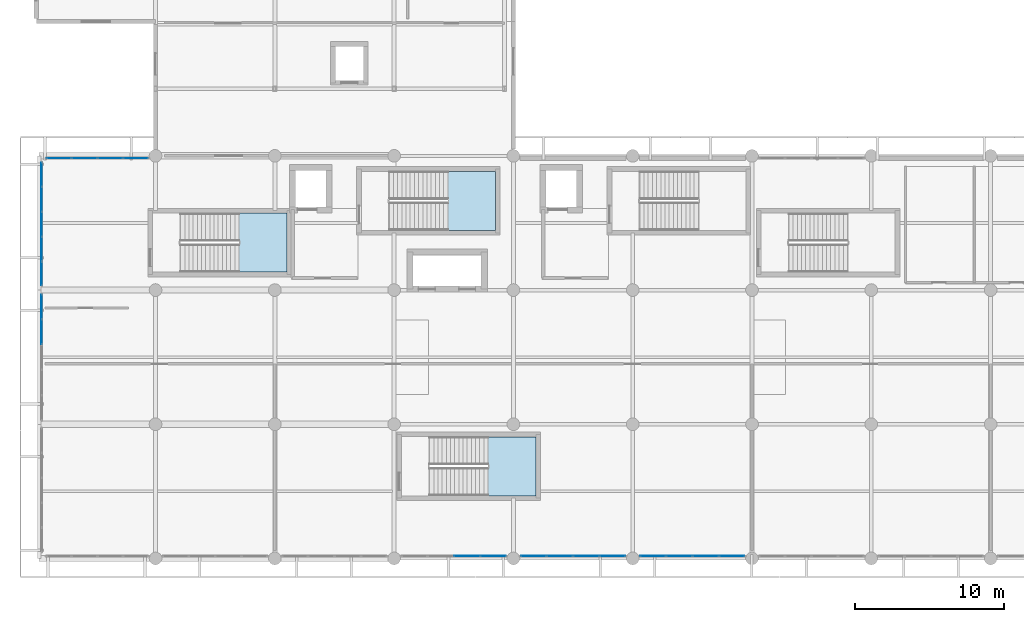
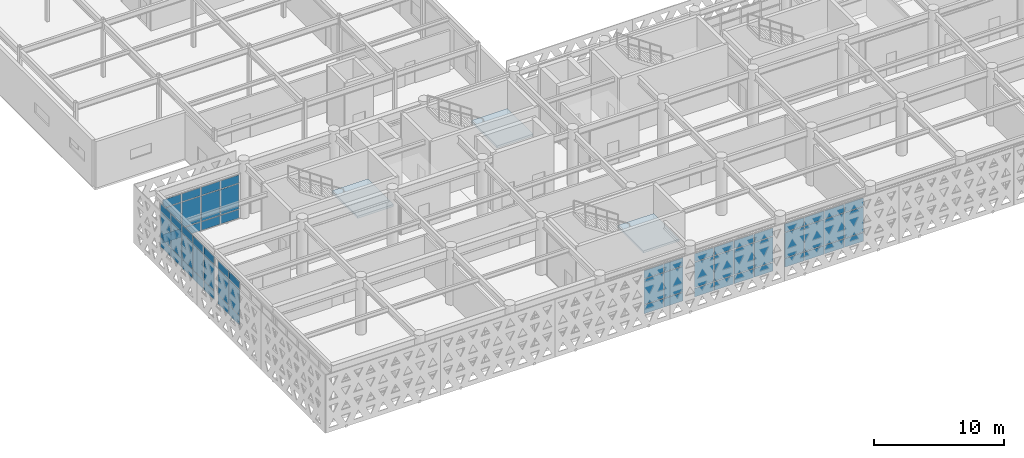
# One storey, part 46 of 84: 63 plates, 3 slabs, 9 elements without a shape of their own.
"""IFC4 building model written with IfcOpenShell, lengths in metres."""

import ifcopenshell
import ifcopenshell.guid

model = None  # the IFC model being written
_history = None  # IfcOwnerHistory: only IFC2X3 demands one
_inside = {}  # id of a spatial element -> (the spatial element, [elements in it])
_under = {}  # id of a project, library or spatial element -> (it, [spatial elements below it])
_declared = {}  # id of a project -> (the project, [libraries it declares])
_typed = {}  # id of a type object -> (the type object, [elements of that type])
_made_of = {}  # id of a material, layer set ... -> (it, [elements and type objects made of it])


def new_model(schema):
    """Start an empty IFC model of exactly this schema.

    Asked for "IFC4X3", IfcOpenShell would pick the latest addendum, in which some entities
    have other attributes; the version numbers below select the first issue.
    IFC2X3 requires an IfcOwnerHistory on every rooted entity: one is made here for all.
    """
    global model, _history
    if schema == "IFC4X3":
        model = ifcopenshell.file(schema_version=(4, 3, 0, 0))
    else:
        model = ifcopenshell.file(schema=schema)
    _inside.clear()
    _under.clear()
    _declared.clear()
    _typed.clear()
    _made_of.clear()
    _history = None
    if model.schema == "IFC2X3":
        org = make("IfcOrganization", Name="unknown")
        user = make(
            "IfcPersonAndOrganization",
            ThePerson=make("IfcPerson", FamilyName="unknown"),
            TheOrganization=org,
        )
        app = make(
            "IfcApplication",
            ApplicationDeveloper=org,
            Version="unknown",
            ApplicationFullName="unknown",
            ApplicationIdentifier="unknown",
        )
        _history = make(
            "IfcOwnerHistory",
            OwningUser=user,
            OwningApplication=app,
            ChangeAction="ADDED",
            CreationDate=0,
        )
    return model


def make(cls, **values):
    """One entity of the class cls with the attributes given. An attribute that is None is left unset."""
    return model.create_entity(
        cls, **{name: value for name, value in values.items() if value is not None}
    )


def rooted(cls, **values):
    """An entity with a GlobalId (a new one), such as an element, a storey or a relation."""
    return make(cls, GlobalId=ifcopenshell.guid.new(), OwnerHistory=_history, **values)


def si_unit(unit_type, name, prefix=None):
    """IfcSIUnit, for example si_unit("LENGTHUNIT", "METRE", prefix="MILLI")."""
    return make("IfcSIUnit", UnitType=unit_type, Prefix=prefix, Name=name)


def assignment(units):
    """IfcUnitAssignment: the units of a project."""
    return None if units is None else make("IfcUnitAssignment", Units=units)


def point(xyz):
    """IfcCartesianPoint."""
    return None if xyz is None else make("IfcCartesianPoint", Coordinates=xyz)


def direction(xyz):
    """IfcDirection."""
    return None if xyz is None else make("IfcDirection", DirectionRatios=xyz)


def frame(location, z_axis=None, x_axis=None):
    """IfcAxis2Placement3D, a coordinate frame: its origin and axes. An axis left out is left unset."""
    return make(
        "IfcAxis2Placement3D",
        Location=point(location),
        Axis=direction(z_axis),
        RefDirection=direction(x_axis),
    )


def frame_2d(location, x_axis=None):
    """IfcAxis2Placement2D, a coordinate frame in the plane: its origin and x axis."""
    return make(
        "IfcAxis2Placement2D", Location=point(location), RefDirection=direction(x_axis)
    )


def origin():
    """The frame at (0, 0, 0) with its axes left unset."""
    return frame((0.0, 0.0, 0.0))


def origin_2d():
    """The frame at (0, 0) in the plane with its x axis left unset."""
    return frame_2d((0.0, 0.0))


def place(relative_to, where):
    """IfcLocalPlacement: puts the frame where relative to a parent placement (None: the world)."""
    return make(
        "IfcLocalPlacement", PlacementRelTo=relative_to, RelativePlacement=where
    )


def context(
    kind, dimensions, precision=None, world=None, true_north=None, identifier=None
):
    """IfcGeometricRepresentationContext, for example the 3D "Model" context."""
    return make(
        "IfcGeometricRepresentationContext",
        ContextIdentifier=identifier,
        ContextType=kind,
        CoordinateSpaceDimension=dimensions,
        Precision=precision,
        WorldCoordinateSystem=world,
        TrueNorth=true_north,
    )


def subcontext(parent, identifier, kind, view, scale=None):
    """IfcGeometricRepresentationSubContext, for example "Body" below "Model"."""
    return make(
        "IfcGeometricRepresentationSubContext",
        ContextIdentifier=identifier,
        ContextType=kind,
        ParentContext=parent,
        TargetScale=scale,
        TargetView=view,
    )


def project(units=None, contexts=None):
    """IfcProject with its units and contexts."""
    return rooted(
        "IfcProject",
        Name="project",
        RepresentationContexts=contexts,
        UnitsInContext=assignment(units),
    )


def spatial(cls, under=None, at=None, **own):
    """A site, building, storey or space (cls), placed at a placement, below another one or the project."""
    s = rooted(cls, ObjectPlacement=at, **own)
    if under is not None:
        _under.setdefault(under.id(), (under, []))[1].append(s)
    return s


def polyline(points):
    """IfcPolyline through the points."""
    return make("IfcPolyline", Points=[point(p) for p in points])


def profile(cls, at=None, kind="AREA", **sizes):
    """A parametric profile (cls). Its sizes go by their IFC names, for example OverallWidth=200.0."""
    return make(cls, ProfileType=kind, Position=at, **sizes)


def rectangle(**sizes):
    """IfcRectangleProfileDef."""
    return profile("IfcRectangleProfileDef", **sizes)


def outline(outer, holes=None, kind="AREA"):
    """IfcArbitraryClosedProfileDef: a profile drawn as a closed curve; with holes, ...WithVoids."""
    if holes is None:
        return make("IfcArbitraryClosedProfileDef", ProfileType=kind, OuterCurve=outer)
    return make(
        "IfcArbitraryProfileDefWithVoids",
        ProfileType=kind,
        OuterCurve=outer,
        InnerCurves=holes,
    )


def extrude(swept, where, along, depth):
    """IfcExtrudedAreaSolid: the profile swept, set in the frame where, extruded along a direction by depth."""
    return make(
        "IfcExtrudedAreaSolid",
        SweptArea=swept,
        Position=where,
        ExtrudedDirection=direction(along),
        Depth=depth,
    )


def shape(context_of_items, identifier, shape_type, items):
    """IfcShapeRepresentation: the items that make up one representation, for example the "Body"."""
    return make(
        "IfcShapeRepresentation",
        ContextOfItems=context_of_items,
        RepresentationIdentifier=identifier,
        RepresentationType=shape_type,
        Items=items,
    )


def material(Name=None, Category=None):
    """IfcMaterial."""
    return make("IfcMaterial", Name=Name, Category=Category)


def layer(
    of_material, thickness, ventilated=None, Name=None, Category=None, Priority=None
):
    """IfcMaterialLayer: one layer of a wall or slab, of a material (None: an air gap)."""
    return make(
        "IfcMaterialLayer",
        Material=of_material,
        LayerThickness=thickness,
        IsVentilated=ventilated,
        Name=Name,
        Category=Category,
        Priority=Priority,
    )


def layer_set(layers, Name=None):
    """IfcMaterialLayerSet."""
    return make("IfcMaterialLayerSet", MaterialLayers=layers, LayerSetName=Name)


def made_of(thing, what):
    """Note that an element or type object is made of a material, layer set ...; save() writes the relation."""
    if what is not None:
        _made_of.setdefault(what.id(), (what, []))[1].append(thing)
    return thing


def type_object(cls, material=None, **own):
    """A type object (cls), such as IfcWallType, which elements share."""
    return made_of(rooted(cls, **own), material)


def element(
    cls,
    number,
    at=None,
    inside=None,
    cuts=None,
    type_object=None,
    material=None,
    context=None,
    identifier="Body",
    shape_type=None,
    held_by="IfcProductDefinitionShape",
    body=None,
    shapes=None,
    **own,
):
    """One element of the class cls, such as IfcWall. Its Tag is "e" and its number.

    at: its placement. inside: the storey or other place that contains it. cuts: it is an
    opening in that element (IfcRelVoidsElement). A single representation is given by context,
    identifier, shape_type and body (its items); several are given by shapes. held_by: the class
    of the entity that holds the representations. save() writes the other relations.
    """
    e = rooted(cls, Tag="e%d" % number, ObjectPlacement=at, **own)
    if body is not None:
        shapes = [shape(context, identifier, shape_type, body)]
    if shapes is not None:
        e.Representation = make(held_by, Representations=shapes)
    if inside is not None:
        _inside.setdefault(inside.id(), (inside, []))[1].append(e)
    if cuts is not None:
        rooted(
            "IfcRelVoidsElement", RelatingBuildingElement=cuts, RelatedOpeningElement=e
        )
    if type_object is not None:
        _typed.setdefault(type_object.id(), (type_object, []))[1].append(e)
    return made_of(e, material)


def aggregate(whole, parts):
    """IfcRelAggregates: a whole, such as a stair, and the parts it consists of."""
    return rooted("IfcRelAggregates", RelatingObject=whole, RelatedObjects=parts)


def save(model, path):
    """Write the relations noted so far, then the file.

    IfcRelAggregates (storeys below a building ...), IfcRelContainedInSpatialStructure (elements
    in a storey), IfcRelDefinesByType, IfcRelAssociatesMaterial and IfcRelDeclares: one each for
    every whole, place, type object, material and project.
    """
    for whole, parts in _under.values():
        aggregate(whole, parts)
    for where, things in _inside.values():
        rooted(
            "IfcRelContainedInSpatialStructure",
            RelatedElements=things,
            RelatingStructure=where,
        )
    for kind, things in _typed.values():
        rooted("IfcRelDefinesByType", RelatedObjects=things, RelatingType=kind)
    for what, things in _made_of.values():
        rooted("IfcRelAssociatesMaterial", RelatedObjects=things, RelatingMaterial=what)
    for by, libraries in _declared.values():
        rooted("IfcRelDeclares", RelatingContext=by, RelatedDefinitions=libraries)
    model.write(path)


model = new_model("IFC4")

# Units and contexts
model_context = context("Model", 3, precision=1e-05, world=origin(), true_north=direction((0.0, 1.0)))
body_context = subcontext(model_context, "Body", "Model", "MODEL_VIEW")
ifc_project = project(units=[si_unit("LENGTHUNIT", "METRE"), si_unit("AREAUNIT", "SQUARE_METRE"), si_unit("VOLUMEUNIT", "CUBIC_METRE"), si_unit("PLANEANGLEUNIT", "RADIAN"), si_unit("MASSUNIT", "GRAM", prefix="KILO")], contexts=[model_context])

# Site, building, storey
site_placement = place(None, origin())
site = spatial("IfcSite", under=ifc_project, at=site_placement, CompositionType="ELEMENT")
building_placement = place(site_placement, origin())
building = spatial("IfcBuilding", under=site, at=building_placement, Name="Tlacozan Convention Centre", CompositionType="ELEMENT")
storey_placement = place(building_placement, frame((0.0, 0.0, 6.0)))
storey = spatial("IfcBuildingStorey", under=building, at=storey_placement, Name="L01", CompositionType="ELEMENT", Elevation=6.0)

# Curtain wall, plates
ifc_material_1 = material(Name="Dark Bronze Anodised Aluminium", Category="aluminium")
ifc_layer_1 = layer(ifc_material_1, 0.159912109375)
ifc_layer_set_1 = layer_set([ifc_layer_1], Name="Dark Bronze Anodised Aluminium")
curtain_wall_type_1 = type_object("IfcCurtainWallType", Name="Unitised Congress L01 South CW02", PredefinedType="NOTDEFINED", material=ifc_layer_set_1)
curtain_wall_1_placement = place(storey_placement, origin())
curtain_wall_1 = element("IfcCurtainWall", 1, at=curtain_wall_1_placement, inside=storey, type_object=curtain_wall_type_1, Name="L01 CW-02 Run 70", PredefinedType="NOTDEFINED")
ifc_material_2 = material(Name="Solar Control Double Low-E Argon Glazing", Category="glass")
ifc_layer_2 = layer(ifc_material_2, 0.030029296875)
ifc_layer_set_2 = layer_set([ifc_layer_2], Name="Solar Control Double Low-E Argon Glazing")
plate_type_1 = type_object("IfcPlateType", Name="Double Low-E Acoustic CW Panel 30", PredefinedType="CURTAIN_PANEL", material=ifc_layer_set_2)
plate_1_placement = place(storey_placement, frame((1.52880859375, 26.840087890625, 0.06494140625), z_axis=(0.0, 0.0, 1.0), x_axis=(1.0, 0.0, 0.0)))
plate_1 = element("IfcPlate", 2, at=plate_1_placement, type_object=plate_type_1, Name="CW-02 panel 1.1", PredefinedType="CURTAIN_PANEL", context=body_context, shape_type="SweptSolid", body=[
    extrude(rectangle(XDim=1.62744140625, YDim=0.030029296875, at=origin_2d()), origin(), (0.0, 0.0, 1.0), 0.802490234375),
])
plate_2_placement = place(storey_placement, frame((1.52880859375, 26.840087890625, 0.9326171875), z_axis=(0.0, 0.0, 1.0), x_axis=(1.0, 0.0, 0.0)))
plate_2 = element("IfcPlate", 3, at=plate_2_placement, type_object=plate_type_1, Name="CW-02 panel 1.2", PredefinedType="CURTAIN_PANEL", context=body_context, shape_type="SweptSolid", body=[
    extrude(rectangle(XDim=1.62744140625, YDim=0.030029296875, at=origin_2d()), origin(), (0.0, 0.0, 1.0), 2.364990234375),
])
plate_3_placement = place(storey_placement, frame((1.52880859375, 26.840087890625, 3.362548828125), z_axis=(0.0, 0.0, 1.0), x_axis=(1.0, 0.0, 0.0)))
plate_3 = element("IfcPlate", 4, at=plate_3_placement, type_object=plate_type_1, Name="CW-02 panel 1.3", PredefinedType="CURTAIN_PANEL", context=body_context, shape_type="SweptSolid", body=[
    extrude(rectangle(XDim=1.62744140625, YDim=0.030029296875, at=origin_2d()), origin(), (0.0, 0.0, 1.0), 0.75244140625),
])
plate_4_placement = place(storey_placement, frame((3.237548828125, 26.840087890625, 0.06494140625), z_axis=(0.0, 0.0, 1.0), x_axis=(1.0, 0.0, 0.0)))
plate_4 = element("IfcPlate", 5, at=plate_4_placement, type_object=plate_type_1, Name="CW-02 panel 2.1", PredefinedType="CURTAIN_PANEL", context=body_context, shape_type="SweptSolid", body=[
    extrude(rectangle(XDim=1.659912109375, YDim=0.030029296875, at=origin_2d()), origin(), (0.0, 0.0, 1.0), 0.802490234375),
])
plate_5_placement = place(storey_placement, frame((3.237548828125, 26.840087890625, 0.9326171875), z_axis=(0.0, 0.0, 1.0), x_axis=(1.0, 0.0, 0.0)))
plate_5 = element("IfcPlate", 6, at=plate_5_placement, type_object=plate_type_1, Name="CW-02 panel 2.2", PredefinedType="CURTAIN_PANEL", context=body_context, shape_type="SweptSolid", body=[
    extrude(rectangle(XDim=1.659912109375, YDim=0.030029296875, at=origin_2d()), origin(), (0.0, 0.0, 1.0), 2.364990234375),
])
plate_6_placement = place(storey_placement, frame((3.237548828125, 26.840087890625, 3.362548828125), z_axis=(0.0, 0.0, 1.0), x_axis=(1.0, 0.0, 0.0)))
plate_6 = element("IfcPlate", 7, at=plate_6_placement, type_object=plate_type_1, Name="CW-02 panel 2.3", PredefinedType="CURTAIN_PANEL", context=body_context, shape_type="SweptSolid", body=[
    extrude(rectangle(XDim=1.659912109375, YDim=0.030029296875, at=origin_2d()), origin(), (0.0, 0.0, 1.0), 0.75244140625),
])
plate_7_placement = place(storey_placement, frame((4.96240234375, 26.840087890625, 0.06494140625), z_axis=(0.0, 0.0, 1.0), x_axis=(1.0, 0.0, 0.0)))
plate_7 = element("IfcPlate", 8, at=plate_7_placement, type_object=plate_type_1, Name="CW-02 panel 3.1", PredefinedType="CURTAIN_PANEL", context=body_context, shape_type="SweptSolid", body=[
    extrude(rectangle(XDim=1.659912109375, YDim=0.030029296875, at=origin_2d()), origin(), (0.0, 0.0, 1.0), 0.802490234375),
])
plate_8_placement = place(storey_placement, frame((4.96240234375, 26.840087890625, 0.9326171875), z_axis=(0.0, 0.0, 1.0), x_axis=(1.0, 0.0, 0.0)))
plate_8 = element("IfcPlate", 9, at=plate_8_placement, type_object=plate_type_1, Name="CW-02 panel 3.2", PredefinedType="CURTAIN_PANEL", context=body_context, shape_type="SweptSolid", body=[
    extrude(rectangle(XDim=1.659912109375, YDim=0.030029296875, at=origin_2d()), origin(), (0.0, 0.0, 1.0), 2.364990234375),
])
plate_9_placement = place(storey_placement, frame((4.96240234375, 26.840087890625, 3.362548828125), z_axis=(0.0, 0.0, 1.0), x_axis=(1.0, 0.0, 0.0)))
plate_9 = element("IfcPlate", 10, at=plate_9_placement, type_object=plate_type_1, Name="CW-02 panel 3.3", PredefinedType="CURTAIN_PANEL", context=body_context, shape_type="SweptSolid", body=[
    extrude(rectangle(XDim=1.659912109375, YDim=0.030029296875, at=origin_2d()), origin(), (0.0, 0.0, 1.0), 0.75244140625),
])
plate_10_placement = place(storey_placement, frame((6.671142578125, 26.840087890625, 0.06494140625), z_axis=(0.0, 0.0, 1.0), x_axis=(1.0, 0.0, 0.0)))
plate_10 = element("IfcPlate", 11, at=plate_10_placement, type_object=plate_type_1, Name="CW-02 panel 4.1", PredefinedType="CURTAIN_PANEL", context=body_context, shape_type="SweptSolid", body=[
    extrude(rectangle(XDim=1.62744140625, YDim=0.030029296875, at=origin_2d()), origin(), (0.0, 0.0, 1.0), 0.802490234375),
])
plate_11_placement = place(storey_placement, frame((6.671142578125, 26.840087890625, 0.9326171875), z_axis=(0.0, 0.0, 1.0), x_axis=(1.0, 0.0, 0.0)))
plate_11 = element("IfcPlate", 12, at=plate_11_placement, type_object=plate_type_1, Name="CW-02 panel 4.2", PredefinedType="CURTAIN_PANEL", context=body_context, shape_type="SweptSolid", body=[
    extrude(rectangle(XDim=1.62744140625, YDim=0.030029296875, at=origin_2d()), origin(), (0.0, 0.0, 1.0), 2.364990234375),
])
plate_12_placement = place(storey_placement, frame((6.671142578125, 26.840087890625, 3.362548828125), z_axis=(0.0, 0.0, 1.0), x_axis=(1.0, 0.0, 0.0)))
plate_12 = element("IfcPlate", 13, at=plate_12_placement, type_object=plate_type_1, Name="CW-02 panel 4.3", PredefinedType="CURTAIN_PANEL", context=body_context, shape_type="SweptSolid", body=[
    extrude(rectangle(XDim=1.62744140625, YDim=0.030029296875, at=origin_2d()), origin(), (0.0, 0.0, 1.0), 0.75244140625),
])
aggregate(curtain_wall_1, [plate_1, plate_2, plate_3, plate_4, plate_5, plate_6, plate_7, plate_8, plate_9, plate_10, plate_11, plate_12])

curtain_wall_2_placement = place(storey_placement, origin())
curtain_wall_2 = element("IfcCurtainWall", 14, at=curtain_wall_2_placement, inside=storey, type_object=curtain_wall_type_1, Name="L01 CW-02 Run 59", PredefinedType="NOTDEFINED")
ifc_layer_3 = layer(ifc_material_2, 0.02001953125)
ifc_layer_set_3 = layer_set([ifc_layer_3], Name="Solar Control Double Low-E Argon Glazing")
plate_type_2 = type_object("IfcPlateType", Name="Double Low-E Glazed CW Panel 20", PredefinedType="CURTAIN_PANEL", material=ifc_layer_set_3)
plate_13_placement = place(storey_placement, frame((33.353759765625, 0.159912109375, 0.06494140625), z_axis=(0.0, 0.0, 1.0), x_axis=(1.0, 0.0, 0.0)))
plate_13 = element("IfcPlate", 15, at=plate_13_placement, type_object=plate_type_2, Name="CW-02 panel 1.1", PredefinedType="CURTAIN_PANEL", context=body_context, shape_type="SweptSolid", body=[
    extrude(rectangle(XDim=1.677490234375, YDim=0.02001953125, at=origin_2d()), origin(), (0.0, 0.0, 1.0), 0.802490234375),
])
plate_14_placement = place(storey_placement, frame((33.353759765625, 0.159912109375, 0.9326171875), z_axis=(0.0, 0.0, 1.0), x_axis=(1.0, 0.0, 0.0)))
plate_14 = element("IfcPlate", 16, at=plate_14_placement, type_object=plate_type_2, Name="CW-02 panel 1.2", PredefinedType="CURTAIN_PANEL", context=body_context, shape_type="SweptSolid", body=[
    extrude(rectangle(XDim=1.677490234375, YDim=0.02001953125, at=origin_2d()), origin(), (0.0, 0.0, 1.0), 2.364990234375),
])
plate_15_placement = place(storey_placement, frame((33.353759765625, 0.159912109375, 3.362548828125), z_axis=(0.0, 0.0, 1.0), x_axis=(1.0, 0.0, 0.0)))
plate_15 = element("IfcPlate", 17, at=plate_15_placement, type_object=plate_type_2, Name="CW-02 panel 1.3", PredefinedType="CURTAIN_PANEL", context=body_context, shape_type="SweptSolid", body=[
    extrude(rectangle(XDim=1.677490234375, YDim=0.02001953125, at=origin_2d()), origin(), (0.0, 0.0, 1.0), 0.75244140625),
])
plate_16_placement = place(storey_placement, frame((35.112548828125, 0.159912109375, 0.06494140625), z_axis=(0.0, 0.0, 1.0), x_axis=(1.0, 0.0, 0.0)))
plate_16 = element("IfcPlate", 18, at=plate_16_placement, type_object=plate_type_2, Name="CW-02 panel 2.1", PredefinedType="CURTAIN_PANEL", context=body_context, shape_type="SweptSolid", body=[
    extrude(rectangle(XDim=1.7099609375, YDim=0.02001953125, at=origin_2d()), origin(), (0.0, 0.0, 1.0), 0.802490234375),
])
plate_17_placement = place(storey_placement, frame((35.112548828125, 0.159912109375, 0.9326171875), z_axis=(0.0, 0.0, 1.0), x_axis=(1.0, 0.0, 0.0)))
plate_17 = element("IfcPlate", 19, at=plate_17_placement, type_object=plate_type_2, Name="CW-02 panel 2.2", PredefinedType="CURTAIN_PANEL", context=body_context, shape_type="SweptSolid", body=[
    extrude(rectangle(XDim=1.7099609375, YDim=0.02001953125, at=origin_2d()), origin(), (0.0, 0.0, 1.0), 2.364990234375),
])
plate_18_placement = place(storey_placement, frame((35.112548828125, 0.159912109375, 3.362548828125), z_axis=(0.0, 0.0, 1.0), x_axis=(1.0, 0.0, 0.0)))
plate_18 = element("IfcPlate", 20, at=plate_18_placement, type_object=plate_type_2, Name="CW-02 panel 2.3", PredefinedType="CURTAIN_PANEL", context=body_context, shape_type="SweptSolid", body=[
    extrude(rectangle(XDim=1.7099609375, YDim=0.02001953125, at=origin_2d()), origin(), (0.0, 0.0, 1.0), 0.75244140625),
])
plate_19_placement = place(storey_placement, frame((36.887451171875, 0.159912109375, 0.06494140625), z_axis=(0.0, 0.0, 1.0), x_axis=(1.0, 0.0, 0.0)))
plate_19 = element("IfcPlate", 21, at=plate_19_placement, type_object=plate_type_2, Name="CW-02 panel 3.1", PredefinedType="CURTAIN_PANEL", context=body_context, shape_type="SweptSolid", body=[
    extrude(rectangle(XDim=1.7099609375, YDim=0.02001953125, at=origin_2d()), origin(), (0.0, 0.0, 1.0), 0.802490234375),
])
plate_20_placement = place(storey_placement, frame((36.887451171875, 0.159912109375, 0.9326171875), z_axis=(0.0, 0.0, 1.0), x_axis=(1.0, 0.0, 0.0)))
plate_20 = element("IfcPlate", 22, at=plate_20_placement, type_object=plate_type_2, Name="CW-02 panel 3.2", PredefinedType="CURTAIN_PANEL", context=body_context, shape_type="SweptSolid", body=[
    extrude(rectangle(XDim=1.7099609375, YDim=0.02001953125, at=origin_2d()), origin(), (0.0, 0.0, 1.0), 2.364990234375),
])
plate_21_placement = place(storey_placement, frame((36.887451171875, 0.159912109375, 3.362548828125), z_axis=(0.0, 0.0, 1.0), x_axis=(1.0, 0.0, 0.0)))
plate_21 = element("IfcPlate", 23, at=plate_21_placement, type_object=plate_type_2, Name="CW-02 panel 3.3", PredefinedType="CURTAIN_PANEL", context=body_context, shape_type="SweptSolid", body=[
    extrude(rectangle(XDim=1.7099609375, YDim=0.02001953125, at=origin_2d()), origin(), (0.0, 0.0, 1.0), 0.75244140625),
])
plate_22_placement = place(storey_placement, frame((38.646240234375, 0.159912109375, 0.06494140625), z_axis=(0.0, 0.0, 1.0), x_axis=(1.0, 0.0, 0.0)))
plate_22 = element("IfcPlate", 24, at=plate_22_placement, type_object=plate_type_2, Name="CW-02 panel 4.1", PredefinedType="CURTAIN_PANEL", context=body_context, shape_type="SweptSolid", body=[
    extrude(rectangle(XDim=1.677490234375, YDim=0.02001953125, at=origin_2d()), origin(), (0.0, 0.0, 1.0), 0.802490234375),
])
plate_23_placement = place(storey_placement, frame((38.646240234375, 0.159912109375, 0.9326171875), z_axis=(0.0, 0.0, 1.0), x_axis=(1.0, 0.0, 0.0)))
plate_23 = element("IfcPlate", 25, at=plate_23_placement, type_object=plate_type_2, Name="CW-02 panel 4.2", PredefinedType="CURTAIN_PANEL", context=body_context, shape_type="SweptSolid", body=[
    extrude(rectangle(XDim=1.677490234375, YDim=0.02001953125, at=origin_2d()), origin(), (0.0, 0.0, 1.0), 2.364990234375),
])
plate_24_placement = place(storey_placement, frame((38.646240234375, 0.159912109375, 3.362548828125), z_axis=(0.0, 0.0, 1.0), x_axis=(1.0, 0.0, 0.0)))
plate_24 = element("IfcPlate", 26, at=plate_24_placement, type_object=plate_type_2, Name="CW-02 panel 4.3", PredefinedType="CURTAIN_PANEL", context=body_context, shape_type="SweptSolid", body=[
    extrude(rectangle(XDim=1.677490234375, YDim=0.02001953125, at=origin_2d()), origin(), (0.0, 0.0, 1.0), 0.75244140625),
])
aggregate(curtain_wall_2, [plate_13, plate_14, plate_15, plate_16, plate_17, plate_18, plate_19, plate_20, plate_21, plate_22, plate_23, plate_24])

ifc_layer_4 = layer(ifc_material_1, 0.159912109375)
ifc_layer_set_4 = layer_set([ifc_layer_4], Name="Dark Bronze Anodised Aluminium")
curtain_wall_type_2 = type_object("IfcCurtainWallType", Name="Unitised Congress Gable End CW06", PredefinedType="NOTDEFINED", material=ifc_layer_set_4)
curtain_wall_3_placement = place(storey_placement, origin())
curtain_wall_3 = element("IfcCurtainWall", 27, at=curtain_wall_3_placement, inside=storey, type_object=curtain_wall_type_2, Name="L01 CW-06 Run 74", PredefinedType="NOTDEFINED")
plate_25_placement = place(storey_placement, frame((0.360107421875, 15.199951171875, 0.06005859375), z_axis=(0.0, 0.0, 1.0), x_axis=(0.0, 1.0, 0.0)))
plate_25 = element("IfcPlate", 28, at=plate_25_placement, type_object=plate_type_2, Name="CW-06 panel 4.1", PredefinedType="CURTAIN_PANEL", context=body_context, shape_type="SweptSolid", body=[
    extrude(rectangle(XDim=1.639892578125, YDim=0.02001953125, at=origin_2d()), origin(), (0.0, 0.0, 1.0), 0.81005859375),
])
plate_26_placement = place(storey_placement, frame((0.360107421875, 15.199951171875, 0.929931640625), z_axis=(0.0, 0.0, 1.0), x_axis=(0.0, 1.0, 0.0)))
plate_26 = element("IfcPlate", 29, at=plate_26_placement, type_object=plate_type_2, Name="CW-06 panel 4.2", PredefinedType="CURTAIN_PANEL", context=body_context, shape_type="SweptSolid", body=[
    extrude(rectangle(XDim=1.639892578125, YDim=0.02001953125, at=origin_2d()), origin(), (0.0, 0.0, 1.0), 2.3701171875),
])
plate_27_placement = place(storey_placement, frame((0.360107421875, 15.199951171875, 3.35986328125), z_axis=(0.0, 0.0, 1.0), x_axis=(0.0, 1.0, 0.0)))
plate_27 = element("IfcPlate", 30, at=plate_27_placement, type_object=plate_type_2, Name="CW-06 panel 4.3", PredefinedType="CURTAIN_PANEL", context=body_context, shape_type="SweptSolid", body=[
    extrude(rectangle(XDim=1.639892578125, YDim=0.02001953125, at=origin_2d()), origin(), (0.0, 0.0, 1.0), 0.760009765625),
])
plate_28_placement = place(storey_placement, frame((0.360107421875, 16.885009765625, 0.06005859375), z_axis=(0.0, 0.0, 1.0), x_axis=(0.0, 1.0, 0.0)))
plate_28 = element("IfcPlate", 31, at=plate_28_placement, type_object=plate_type_2, Name="CW-06 panel 5.1", PredefinedType="CURTAIN_PANEL", context=body_context, shape_type="SweptSolid", body=[
    extrude(rectangle(XDim=1.610107421875, YDim=0.02001953125, at=origin_2d()), origin(), (0.0, 0.0, 1.0), 0.81005859375),
])
plate_29_placement = place(storey_placement, frame((0.360107421875, 16.885009765625, 0.929931640625), z_axis=(0.0, 0.0, 1.0), x_axis=(0.0, 1.0, 0.0)))
plate_29 = element("IfcPlate", 32, at=plate_29_placement, type_object=plate_type_2, Name="CW-06 panel 5.2", PredefinedType="CURTAIN_PANEL", context=body_context, shape_type="SweptSolid", body=[
    extrude(rectangle(XDim=1.610107421875, YDim=0.02001953125, at=origin_2d()), origin(), (0.0, 0.0, 1.0), 2.3701171875),
])
plate_30_placement = place(storey_placement, frame((0.360107421875, 16.885009765625, 3.35986328125), z_axis=(0.0, 0.0, 1.0), x_axis=(0.0, 1.0, 0.0)))
plate_30 = element("IfcPlate", 33, at=plate_30_placement, type_object=plate_type_2, Name="CW-06 panel 5.3", PredefinedType="CURTAIN_PANEL", context=body_context, shape_type="SweptSolid", body=[
    extrude(rectangle(XDim=1.610107421875, YDim=0.02001953125, at=origin_2d()), origin(), (0.0, 0.0, 1.0), 0.760009765625),
])
aggregate(curtain_wall_3, [plate_25, plate_26, plate_27, plate_28, plate_29, plate_30])

curtain_wall_4_placement = place(storey_placement, origin())
curtain_wall_4 = element("IfcCurtainWall", 34, at=curtain_wall_4_placement, inside=storey, type_object=curtain_wall_type_2, Name="L01 CW-06 Run 76", PredefinedType="NOTDEFINED")
plate_31_placement = place(storey_placement, frame((0.360107421875, 19.09912109375, 0.06005859375), z_axis=(0.0, 0.0, 1.0), x_axis=(0.0, 1.0, 0.0)))
plate_31 = element("IfcPlate", 35, at=plate_31_placement, type_object=plate_type_2, Name="CW-06 panel 1.1", PredefinedType="CURTAIN_PANEL", context=body_context, shape_type="SweptSolid", body=[
    extrude(rectangle(XDim=1.577880859375, YDim=0.02001953125, at=origin_2d()), origin(), (0.0, 0.0, 1.0), 0.81005859375),
])
plate_32_placement = place(storey_placement, frame((0.360107421875, 19.09912109375, 0.929931640625), z_axis=(0.0, 0.0, 1.0), x_axis=(0.0, 1.0, 0.0)))
plate_32 = element("IfcPlate", 36, at=plate_32_placement, type_object=plate_type_2, Name="CW-06 panel 1.2", PredefinedType="CURTAIN_PANEL", context=body_context, shape_type="SweptSolid", body=[
    extrude(rectangle(XDim=1.577880859375, YDim=0.02001953125, at=origin_2d()), origin(), (0.0, 0.0, 1.0), 2.3701171875),
])
plate_33_placement = place(storey_placement, frame((0.360107421875, 19.09912109375, 3.35986328125), z_axis=(0.0, 0.0, 1.0), x_axis=(0.0, 1.0, 0.0)))
plate_33 = element("IfcPlate", 37, at=plate_33_placement, type_object=plate_type_2, Name="CW-06 panel 1.3", PredefinedType="CURTAIN_PANEL", context=body_context, shape_type="SweptSolid", body=[
    extrude(rectangle(XDim=1.577880859375, YDim=0.02001953125, at=origin_2d()), origin(), (0.0, 0.0, 1.0), 0.760009765625),
])
plate_34_placement = place(storey_placement, frame((0.360107421875, 20.751953125, 0.06005859375), z_axis=(0.0, 0.0, 1.0), x_axis=(0.0, 1.0, 0.0)))
plate_34 = element("IfcPlate", 38, at=plate_34_placement, type_object=plate_type_2, Name="CW-06 panel 2.1", PredefinedType="CURTAIN_PANEL", context=body_context, shape_type="SweptSolid", body=[
    extrude(rectangle(XDim=1.60791015625, YDim=0.02001953125, at=origin_2d()), origin(), (0.0, 0.0, 1.0), 0.81005859375),
])
plate_35_placement = place(storey_placement, frame((0.360107421875, 20.751953125, 0.929931640625), z_axis=(0.0, 0.0, 1.0), x_axis=(0.0, 1.0, 0.0)))
plate_35 = element("IfcPlate", 39, at=plate_35_placement, type_object=plate_type_2, Name="CW-06 panel 2.2", PredefinedType="CURTAIN_PANEL", context=body_context, shape_type="SweptSolid", body=[
    extrude(rectangle(XDim=1.60791015625, YDim=0.02001953125, at=origin_2d()), origin(), (0.0, 0.0, 1.0), 2.3701171875),
])
plate_36_placement = place(storey_placement, frame((0.360107421875, 20.751953125, 3.35986328125), z_axis=(0.0, 0.0, 1.0), x_axis=(0.0, 1.0, 0.0)))
plate_36 = element("IfcPlate", 40, at=plate_36_placement, type_object=plate_type_2, Name="CW-06 panel 2.3", PredefinedType="CURTAIN_PANEL", context=body_context, shape_type="SweptSolid", body=[
    extrude(rectangle(XDim=1.60791015625, YDim=0.02001953125, at=origin_2d()), origin(), (0.0, 0.0, 1.0), 0.760009765625),
])
plate_37_placement = place(storey_placement, frame((0.360107421875, 22.419921875, 0.06005859375), z_axis=(0.0, 0.0, 1.0), x_axis=(0.0, 1.0, 0.0)))
plate_37 = element("IfcPlate", 41, at=plate_37_placement, type_object=plate_type_2, Name="CW-06 panel 3.1", PredefinedType="CURTAIN_PANEL", context=body_context, shape_type="SweptSolid", body=[
    extrude(rectangle(XDim=1.60791015625, YDim=0.02001953125, at=origin_2d()), origin(), (0.0, 0.0, 1.0), 0.81005859375),
])
plate_38_placement = place(storey_placement, frame((0.360107421875, 22.419921875, 0.929931640625), z_axis=(0.0, 0.0, 1.0), x_axis=(0.0, 1.0, 0.0)))
plate_38 = element("IfcPlate", 42, at=plate_38_placement, type_object=plate_type_2, Name="CW-06 panel 3.2", PredefinedType="CURTAIN_PANEL", context=body_context, shape_type="SweptSolid", body=[
    extrude(rectangle(XDim=1.60791015625, YDim=0.02001953125, at=origin_2d()), origin(), (0.0, 0.0, 1.0), 2.3701171875),
])
plate_39_placement = place(storey_placement, frame((0.360107421875, 22.419921875, 3.35986328125), z_axis=(0.0, 0.0, 1.0), x_axis=(0.0, 1.0, 0.0)))
plate_39 = element("IfcPlate", 43, at=plate_39_placement, type_object=plate_type_2, Name="CW-06 panel 3.3", PredefinedType="CURTAIN_PANEL", context=body_context, shape_type="SweptSolid", body=[
    extrude(rectangle(XDim=1.60791015625, YDim=0.02001953125, at=origin_2d()), origin(), (0.0, 0.0, 1.0), 0.760009765625),
])
plate_40_placement = place(storey_placement, frame((0.360107421875, 24.087890625, 0.06005859375), z_axis=(0.0, 0.0, 1.0), x_axis=(0.0, 1.0, 0.0)))
plate_40 = element("IfcPlate", 44, at=plate_40_placement, type_object=plate_type_2, Name="CW-06 panel 4.1", PredefinedType="CURTAIN_PANEL", context=body_context, shape_type="SweptSolid", body=[
    extrude(rectangle(XDim=1.60791015625, YDim=0.02001953125, at=origin_2d()), origin(), (0.0, 0.0, 1.0), 0.81005859375),
])
plate_41_placement = place(storey_placement, frame((0.360107421875, 24.087890625, 0.929931640625), z_axis=(0.0, 0.0, 1.0), x_axis=(0.0, 1.0, 0.0)))
plate_41 = element("IfcPlate", 45, at=plate_41_placement, type_object=plate_type_2, Name="CW-06 panel 4.2", PredefinedType="CURTAIN_PANEL", context=body_context, shape_type="SweptSolid", body=[
    extrude(rectangle(XDim=1.60791015625, YDim=0.02001953125, at=origin_2d()), origin(), (0.0, 0.0, 1.0), 2.3701171875),
])
plate_42_placement = place(storey_placement, frame((0.360107421875, 24.087890625, 3.35986328125), z_axis=(0.0, 0.0, 1.0), x_axis=(0.0, 1.0, 0.0)))
plate_42 = element("IfcPlate", 46, at=plate_42_placement, type_object=plate_type_2, Name="CW-06 panel 4.3", PredefinedType="CURTAIN_PANEL", context=body_context, shape_type="SweptSolid", body=[
    extrude(rectangle(XDim=1.60791015625, YDim=0.02001953125, at=origin_2d()), origin(), (0.0, 0.0, 1.0), 0.760009765625),
])
plate_43_placement = place(storey_placement, frame((0.360107421875, 25.740966796875, 0.06005859375), z_axis=(0.0, 0.0, 1.0), x_axis=(0.0, 1.0, 0.0)))
plate_43 = element("IfcPlate", 47, at=plate_43_placement, type_object=plate_type_2, Name="CW-06 panel 5.1", PredefinedType="CURTAIN_PANEL", context=body_context, shape_type="SweptSolid", body=[
    extrude(rectangle(XDim=1.577880859375, YDim=0.02001953125, at=origin_2d()), origin(), (0.0, 0.0, 1.0), 0.81005859375),
])
plate_44_placement = place(storey_placement, frame((0.360107421875, 25.740966796875, 0.929931640625), z_axis=(0.0, 0.0, 1.0), x_axis=(0.0, 1.0, 0.0)))
plate_44 = element("IfcPlate", 48, at=plate_44_placement, type_object=plate_type_2, Name="CW-06 panel 5.2", PredefinedType="CURTAIN_PANEL", context=body_context, shape_type="SweptSolid", body=[
    extrude(rectangle(XDim=1.577880859375, YDim=0.02001953125, at=origin_2d()), origin(), (0.0, 0.0, 1.0), 2.3701171875),
])
plate_45_placement = place(storey_placement, frame((0.360107421875, 25.740966796875, 3.35986328125), z_axis=(0.0, 0.0, 1.0), x_axis=(0.0, 1.0, 0.0)))
plate_45 = element("IfcPlate", 49, at=plate_45_placement, type_object=plate_type_2, Name="CW-06 panel 5.3", PredefinedType="CURTAIN_PANEL", context=body_context, shape_type="SweptSolid", body=[
    extrude(rectangle(XDim=1.577880859375, YDim=0.02001953125, at=origin_2d()), origin(), (0.0, 0.0, 1.0), 0.760009765625),
])
aggregate(curtain_wall_4, [plate_31, plate_32, plate_33, plate_34, plate_35, plate_36, plate_37, plate_38, plate_39, plate_40, plate_41, plate_42, plate_43, plate_44, plate_45])

curtain_wall_5_placement = place(storey_placement, origin())
curtain_wall_5 = element("IfcCurtainWall", 50, at=curtain_wall_5_placement, inside=storey, type_object=curtain_wall_type_1, Name="L01 CW-02 Run 58", PredefinedType="NOTDEFINED")
ifc_layer_5 = layer(ifc_material_2, 0.0400390625)
ifc_layer_set_5 = layer_set([ifc_layer_5], Name="Solar Control Double Low-E Argon Glazing")
plate_type_3 = type_object("IfcPlateType", Name="Insulated Spandrel CW Panel 40", PredefinedType="CURTAIN_PANEL", material=ifc_layer_set_5)
plate_46_placement = place(storey_placement, frame((28.887451171875, 0.159912109375, 0.06494140625), z_axis=(0.0, 0.0, 1.0), x_axis=(1.0, 0.0, 0.0)))
plate_46 = element("IfcPlate", 51, at=plate_46_placement, type_object=plate_type_3, Name="CW-02 panel 3.1", PredefinedType="CURTAIN_PANEL", context=body_context, shape_type="SweptSolid", body=[
    extrude(rectangle(XDim=1.7099609375, YDim=0.0400390625, at=origin_2d()), origin(), (0.0, 0.0, 1.0), 0.802490234375),
])
plate_47_placement = place(storey_placement, frame((28.887451171875, 0.159912109375, 0.9326171875), z_axis=(0.0, 0.0, 1.0), x_axis=(1.0, 0.0, 0.0)))
plate_47 = element("IfcPlate", 52, at=plate_47_placement, type_object=plate_type_3, Name="CW-02 panel 3.2", PredefinedType="CURTAIN_PANEL", context=body_context, shape_type="SweptSolid", body=[
    extrude(rectangle(XDim=1.7099609375, YDim=0.0400390625, at=origin_2d()), origin(), (0.0, 0.0, 1.0), 2.364990234375),
])
plate_48_placement = place(storey_placement, frame((28.887451171875, 0.159912109375, 3.362548828125), z_axis=(0.0, 0.0, 1.0), x_axis=(1.0, 0.0, 0.0)))
plate_48 = element("IfcPlate", 53, at=plate_48_placement, type_object=plate_type_3, Name="CW-02 panel 3.3", PredefinedType="CURTAIN_PANEL", context=body_context, shape_type="SweptSolid", body=[
    extrude(rectangle(XDim=1.7099609375, YDim=0.0400390625, at=origin_2d()), origin(), (0.0, 0.0, 1.0), 0.75244140625),
])
plate_49_placement = place(storey_placement, frame((30.646240234375, 0.159912109375, 0.06494140625), z_axis=(0.0, 0.0, 1.0), x_axis=(1.0, 0.0, 0.0)))
plate_49 = element("IfcPlate", 54, at=plate_49_placement, type_object=plate_type_3, Name="CW-02 panel 4.1", PredefinedType="CURTAIN_PANEL", context=body_context, shape_type="SweptSolid", body=[
    extrude(rectangle(XDim=1.677490234375, YDim=0.0400390625, at=origin_2d()), origin(), (0.0, 0.0, 1.0), 0.802490234375),
])
plate_50_placement = place(storey_placement, frame((30.646240234375, 0.159912109375, 0.9326171875), z_axis=(0.0, 0.0, 1.0), x_axis=(1.0, 0.0, 0.0)))
plate_50 = element("IfcPlate", 55, at=plate_50_placement, type_object=plate_type_3, Name="CW-02 panel 4.2", PredefinedType="CURTAIN_PANEL", context=body_context, shape_type="SweptSolid", body=[
    extrude(rectangle(XDim=1.677490234375, YDim=0.0400390625, at=origin_2d()), origin(), (0.0, 0.0, 1.0), 2.364990234375),
])
plate_51_placement = place(storey_placement, frame((30.646240234375, 0.159912109375, 3.362548828125), z_axis=(0.0, 0.0, 1.0), x_axis=(1.0, 0.0, 0.0)))
plate_51 = element("IfcPlate", 56, at=plate_51_placement, type_object=plate_type_3, Name="CW-02 panel 4.3", PredefinedType="CURTAIN_PANEL", context=body_context, shape_type="SweptSolid", body=[
    extrude(rectangle(XDim=1.677490234375, YDim=0.0400390625, at=origin_2d()), origin(), (0.0, 0.0, 1.0), 0.75244140625),
])
aggregate(curtain_wall_5, [plate_46, plate_47, plate_48, plate_49, plate_50, plate_51])

curtain_wall_6_placement = place(storey_placement, origin())
curtain_wall_6 = element("IfcCurtainWall", 57, at=curtain_wall_6_placement, inside=storey, type_object=curtain_wall_type_1, Name="L01 CW-02 Run 60", PredefinedType="NOTDEFINED")
plate_52_placement = place(storey_placement, frame((41.353759765625, 0.159912109375, 0.06494140625), z_axis=(0.0, 0.0, 1.0), x_axis=(1.0, 0.0, 0.0)))
plate_52 = element("IfcPlate", 58, at=plate_52_placement, type_object=plate_type_3, Name="CW-02 panel 1.1", PredefinedType="CURTAIN_PANEL", context=body_context, shape_type="SweptSolid", body=[
    extrude(rectangle(XDim=1.677490234375, YDim=0.0400390625, at=origin_2d()), origin(), (0.0, 0.0, 1.0), 0.802490234375),
])
plate_53_placement = place(storey_placement, frame((41.353759765625, 0.159912109375, 0.9326171875), z_axis=(0.0, 0.0, 1.0), x_axis=(1.0, 0.0, 0.0)))
plate_53 = element("IfcPlate", 59, at=plate_53_placement, type_object=plate_type_3, Name="CW-02 panel 1.2", PredefinedType="CURTAIN_PANEL", context=body_context, shape_type="SweptSolid", body=[
    extrude(rectangle(XDim=1.677490234375, YDim=0.0400390625, at=origin_2d()), origin(), (0.0, 0.0, 1.0), 2.364990234375),
])
plate_54_placement = place(storey_placement, frame((41.353759765625, 0.159912109375, 3.362548828125), z_axis=(0.0, 0.0, 1.0), x_axis=(1.0, 0.0, 0.0)))
plate_54 = element("IfcPlate", 60, at=plate_54_placement, type_object=plate_type_3, Name="CW-02 panel 1.3", PredefinedType="CURTAIN_PANEL", context=body_context, shape_type="SweptSolid", body=[
    extrude(rectangle(XDim=1.677490234375, YDim=0.0400390625, at=origin_2d()), origin(), (0.0, 0.0, 1.0), 0.75244140625),
])
plate_55_placement = place(storey_placement, frame((43.112548828125, 0.159912109375, 0.06494140625), z_axis=(0.0, 0.0, 1.0), x_axis=(1.0, 0.0, 0.0)))
plate_55 = element("IfcPlate", 61, at=plate_55_placement, type_object=plate_type_3, Name="CW-02 panel 2.1", PredefinedType="CURTAIN_PANEL", context=body_context, shape_type="SweptSolid", body=[
    extrude(rectangle(XDim=1.7099609375, YDim=0.0400390625, at=origin_2d()), origin(), (0.0, 0.0, 1.0), 0.802490234375),
])
plate_56_placement = place(storey_placement, frame((43.112548828125, 0.159912109375, 0.9326171875), z_axis=(0.0, 0.0, 1.0), x_axis=(1.0, 0.0, 0.0)))
plate_56 = element("IfcPlate", 62, at=plate_56_placement, type_object=plate_type_3, Name="CW-02 panel 2.2", PredefinedType="CURTAIN_PANEL", context=body_context, shape_type="SweptSolid", body=[
    extrude(rectangle(XDim=1.7099609375, YDim=0.0400390625, at=origin_2d()), origin(), (0.0, 0.0, 1.0), 2.364990234375),
])
plate_57_placement = place(storey_placement, frame((43.112548828125, 0.159912109375, 3.362548828125), z_axis=(0.0, 0.0, 1.0), x_axis=(1.0, 0.0, 0.0)))
plate_57 = element("IfcPlate", 63, at=plate_57_placement, type_object=plate_type_3, Name="CW-02 panel 2.3", PredefinedType="CURTAIN_PANEL", context=body_context, shape_type="SweptSolid", body=[
    extrude(rectangle(XDim=1.7099609375, YDim=0.0400390625, at=origin_2d()), origin(), (0.0, 0.0, 1.0), 0.75244140625),
])
plate_58_placement = place(storey_placement, frame((44.887451171875, 0.159912109375, 0.06494140625), z_axis=(0.0, 0.0, 1.0), x_axis=(1.0, 0.0, 0.0)))
plate_58 = element("IfcPlate", 64, at=plate_58_placement, type_object=plate_type_3, Name="CW-02 panel 3.1", PredefinedType="CURTAIN_PANEL", context=body_context, shape_type="SweptSolid", body=[
    extrude(rectangle(XDim=1.7099609375, YDim=0.0400390625, at=origin_2d()), origin(), (0.0, 0.0, 1.0), 0.802490234375),
])
plate_59_placement = place(storey_placement, frame((44.887451171875, 0.159912109375, 0.9326171875), z_axis=(0.0, 0.0, 1.0), x_axis=(1.0, 0.0, 0.0)))
plate_59 = element("IfcPlate", 65, at=plate_59_placement, type_object=plate_type_3, Name="CW-02 panel 3.2", PredefinedType="CURTAIN_PANEL", context=body_context, shape_type="SweptSolid", body=[
    extrude(rectangle(XDim=1.7099609375, YDim=0.0400390625, at=origin_2d()), origin(), (0.0, 0.0, 1.0), 2.364990234375),
])
plate_60_placement = place(storey_placement, frame((44.887451171875, 0.159912109375, 3.362548828125), z_axis=(0.0, 0.0, 1.0), x_axis=(1.0, 0.0, 0.0)))
plate_60 = element("IfcPlate", 66, at=plate_60_placement, type_object=plate_type_3, Name="CW-02 panel 3.3", PredefinedType="CURTAIN_PANEL", context=body_context, shape_type="SweptSolid", body=[
    extrude(rectangle(XDim=1.7099609375, YDim=0.0400390625, at=origin_2d()), origin(), (0.0, 0.0, 1.0), 0.75244140625),
])
plate_61_placement = place(storey_placement, frame((46.646240234375, 0.159912109375, 0.06494140625), z_axis=(0.0, 0.0, 1.0), x_axis=(1.0, 0.0, 0.0)))
plate_61 = element("IfcPlate", 67, at=plate_61_placement, type_object=plate_type_3, Name="CW-02 panel 4.1", PredefinedType="CURTAIN_PANEL", context=body_context, shape_type="SweptSolid", body=[
    extrude(rectangle(XDim=1.677490234375, YDim=0.0400390625, at=origin_2d()), origin(), (0.0, 0.0, 1.0), 0.802490234375),
])
plate_62_placement = place(storey_placement, frame((46.646240234375, 0.159912109375, 0.9326171875), z_axis=(0.0, 0.0, 1.0), x_axis=(1.0, 0.0, 0.0)))
plate_62 = element("IfcPlate", 68, at=plate_62_placement, type_object=plate_type_3, Name="CW-02 panel 4.2", PredefinedType="CURTAIN_PANEL", context=body_context, shape_type="SweptSolid", body=[
    extrude(rectangle(XDim=1.677490234375, YDim=0.0400390625, at=origin_2d()), origin(), (0.0, 0.0, 1.0), 2.364990234375),
])
plate_63_placement = place(storey_placement, frame((46.646240234375, 0.159912109375, 3.362548828125), z_axis=(0.0, 0.0, 1.0), x_axis=(1.0, 0.0, 0.0)))
plate_63 = element("IfcPlate", 69, at=plate_63_placement, type_object=plate_type_3, Name="CW-02 panel 4.3", PredefinedType="CURTAIN_PANEL", context=body_context, shape_type="SweptSolid", body=[
    extrude(rectangle(XDim=1.677490234375, YDim=0.0400390625, at=origin_2d()), origin(), (0.0, 0.0, 1.0), 0.75244140625),
])
aggregate(curtain_wall_6, [plate_52, plate_53, plate_54, plate_55, plate_56, plate_57, plate_58, plate_59, plate_60, plate_61, plate_62, plate_63])

# Stair, slab
ifc_material_3 = material(Name="Concrete C40/50", Category="concrete")
stair_type = type_object("IfcStairType", Name="Protected Dogleg Stair W188 H54", PredefinedType="HALF_TURN_STAIR", material=ifc_material_3)
stair_1_placement = place(storey_placement, origin())
stair_1 = element("IfcStair", 70, at=stair_1_placement, inside=storey, type_object=stair_type, Name="L01 West Congress Core Stair ST-01", PredefinedType="HALF_TURN_STAIR")
ifc_layer_6 = layer(ifc_material_3, 0.199951171875)
ifc_layer_set_6 = layer_set([ifc_layer_6], Name="Concrete C40/50")
slab_type = type_object("IfcSlabType", Name="Stair Half Landing Slab 200", PredefinedType="LANDING", material=ifc_layer_set_6)
slab_1_placement = place(storey_placement, frame((0.0, 0.0, 2.5)))
slab_1 = element("IfcSlab", 71, at=slab_1_placement, type_object=slab_type, Name="ST-01 landing 1", PredefinedType="LANDING", context=body_context, shape_type="SweptSolid", body=[
    extrude(outline(polyline([(27.60009765625, 22.0), (30.800048828125, 22.0), (30.800048828125, 25.9599609375), (27.60009765625, 25.9599609375), (27.60009765625, 22.0)])), origin(), (0.0, 0.0, 1.0), 0.199951171875),
])
aggregate(stair_1, [slab_1])

stair_2_placement = place(storey_placement, origin())
stair_2 = element("IfcStair", 72, at=stair_2_placement, inside=storey, type_object=stair_type, Name="L01 West Belvedere Congress Stair", PredefinedType="HALF_TURN_STAIR")
slab_2_placement = place(storey_placement, frame((0.0, 0.0, 2.5)))
slab_2 = element("IfcSlab", 73, at=slab_2_placement, type_object=slab_type, Name="ST-13 landing 1", PredefinedType="LANDING", context=body_context, shape_type="SweptSolid", body=[
    extrude(outline(polyline([(13.60009765625, 19.199951171875), (16.800048828125, 19.199951171875), (16.800048828125, 23.159912109375), (13.60009765625, 23.159912109375), (13.60009765625, 19.199951171875)])), origin(), (0.0, 0.0, 1.0), 0.199951171875),
])
aggregate(stair_2, [slab_2])

stair_3_placement = place(storey_placement, origin())
stair_3 = element("IfcStair", 74, at=stair_3_placement, inside=storey, type_object=stair_type, Name="L01 West Concourse Grand Stair", PredefinedType="HALF_TURN_STAIR")
slab_3_placement = place(storey_placement, frame((0.0, 0.0, 2.5)))
slab_3 = element("IfcSlab", 75, at=slab_3_placement, type_object=slab_type, Name="ST-16 landing 1", PredefinedType="LANDING", context=body_context, shape_type="SweptSolid", body=[
    extrude(outline(polyline([(30.300048828125, 4.199951171875), (33.5, 4.199951171875), (33.5, 8.159912109375), (30.300048828125, 8.159912109375), (30.300048828125, 4.199951171875)])), origin(), (0.0, 0.0, 1.0), 0.199951171875),
])
aggregate(stair_3, [slab_3])

save(model, "model.ifc")
